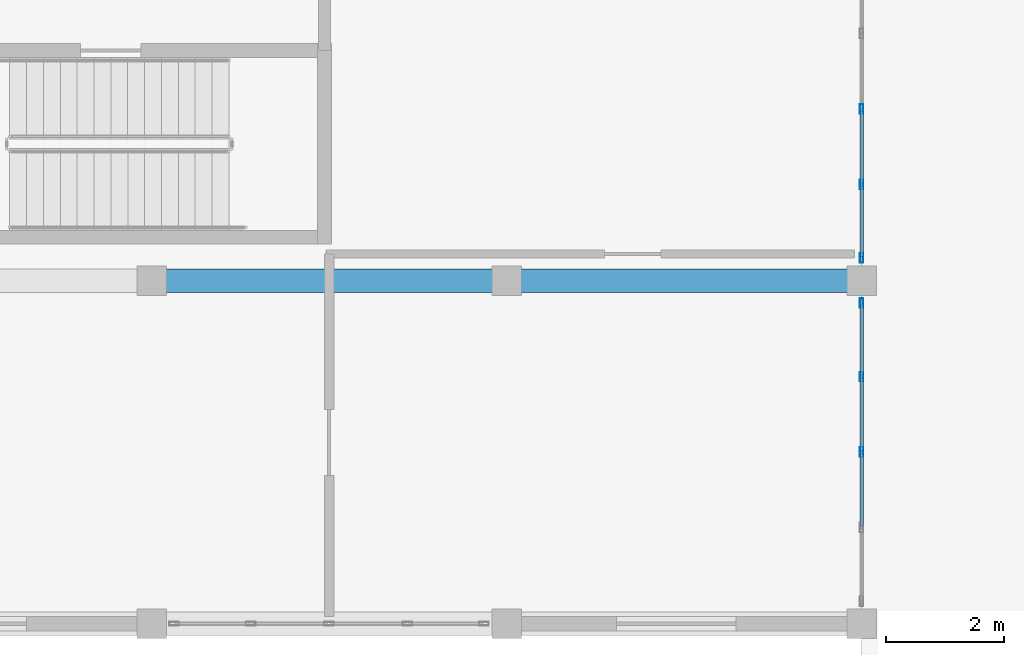
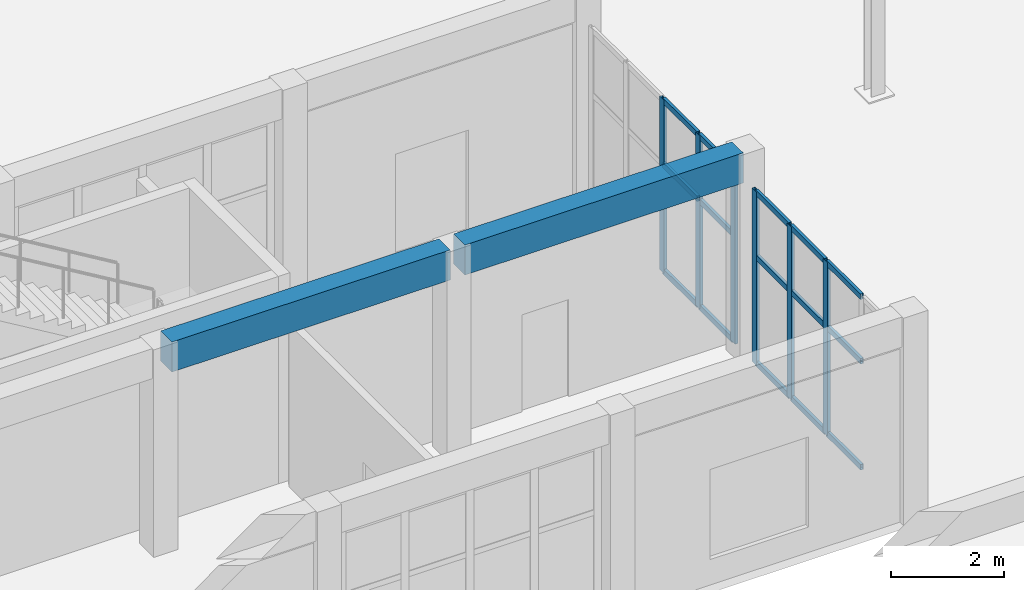
# One storey, part 18 of 132: 21 members, 2 beams, 2 elements without a shape of their own.
"""IFC4 building model written with IfcOpenShell, lengths in metres."""

from ifc_helpers import new_model, si_unit, direction, frame, origin, origin_2d, place, context, subcontext, project, spatial, rectangle, hollow_rectangle, extrude, material, material_profile, profile_set, type_object, element, aggregate, save


model = new_model("IFC4")

# Units and contexts
model_context = context("Model", 3, precision=1e-05, world=origin(), true_north=direction((0.0, 1.0)))
body_context = subcontext(model_context, "Body", "Model", "MODEL_VIEW")
ifc_project = project(units=[si_unit("LENGTHUNIT", "METRE"), si_unit("AREAUNIT", "SQUARE_METRE"), si_unit("VOLUMEUNIT", "CUBIC_METRE"), si_unit("PLANEANGLEUNIT", "RADIAN"), si_unit("MASSUNIT", "GRAM", prefix="KILO")], contexts=[model_context])

# Site, building, storey
site_placement = place(None, origin())
site = spatial("IfcSite", under=ifc_project, at=site_placement, CompositionType="ELEMENT")
building_placement = place(site_placement, origin())
building = spatial("IfcBuilding", under=site, at=building_placement, Name="Tanwirah Colonnade Gardens", CompositionType="ELEMENT")
storey_placement = place(building_placement, origin())
storey = spatial("IfcBuildingStorey", under=building, at=storey_placement, Name="L00", CompositionType="ELEMENT", Elevation=0.0)

# Beams
ifc_material_1 = material(Name="Precast concrete C45/55", Category="concrete")
ifc_material_profile_1 = material_profile(ifc_material_1, rectangle(XDim=0.39990234375, YDim=0.64990234375, at=origin_2d()), Name="PC-BM 400x650")
ifc_profile_set_1 = profile_set([ifc_material_profile_1], Name="Precast concrete C45/55")
beam_type = type_object("IfcBeamType", Name="BM-PC400", PredefinedType="BEAM", material=ifc_profile_set_1)
for number, where, z_axis, x_axis, name in (
    (1, (72.14990234375, 22.39990234375, 4.1650390625), (1.0, 0.0, 0.0), (0.0, 1.0, 0.0), "Boulevard Shops W L00 Beam 1.2"),
    (2, (78.14990234375, 22.39990234375, 4.1650390625), (1.0, 0.0, 0.0), (0.0, 1.0, 0.0), "Boulevard Shops W L00 Beam 2.2"),
):
    element("IfcBeam", number, at=place(storey_placement, frame(where, z_axis=z_axis, x_axis=x_axis)), inside=storey, type_object=beam_type, Name=name, PredefinedType="BEAM", context=body_context, shape_type="SweptSolid", body=[
        extrude(rectangle(XDim=0.39990234375, YDim=0.64990234375, at=origin_2d()), origin(), (0.0, 0.0, 1.0), 5.7001953125),
    ])

# Curtain wall, members
ifc_material_2 = material(Name="Bronze-anodised aluminium and solar-control low-E glass", Category="aluminium")
curtain_wall_type = type_object("IfcCurtainWallType", Name="CW-SHP", PredefinedType="NOTDEFINED", material=ifc_material_2)
curtain_wall_1_placement = place(storey_placement, origin())
curtain_wall_1 = element("IfcCurtainWall", 3, at=curtain_wall_1_placement, inside=storey, type_object=curtain_wall_type, Name="Curtain Wall CW-SHP-W-L00-E-1", PredefinedType="NOTDEFINED")
ifc_material_3 = material(Name="Bronze-anodised aluminium", Category="aluminium")
ifc_material_profile_2 = material_profile(ifc_material_3, hollow_rectangle(XDim=0.06005859375, YDim=0.159912109375, WallThickness=0.00390625, at=origin_2d()), Name="CW-MUL 60x160x4")
ifc_profile_set_2 = profile_set([ifc_material_profile_2], Name="Bronze-anodised aluminium")
member_type_1 = type_object("IfcMemberType", Name="CWM-60x160", PredefinedType="MULLION", material=ifc_profile_set_2)
member_1_placement = place(storey_placement, frame((84.0, 19.5, 0.0), z_axis=(0.0, 0.0, 1.0), x_axis=(-1.0, 0.0, 0.0)))
member_1 = element("IfcMember", 4, at=member_1_placement, type_object=member_type_1, Name="CW-SHP mullion 3", PredefinedType="MULLION", context=body_context, shape_type="SweptSolid", body=[
    extrude(hollow_rectangle(XDim=0.06005859375, YDim=0.159912109375, WallThickness=0.00390625, at=origin_2d()), origin(), (0.0, 0.0, 1.0), 3.75),
])
member_2_placement = place(storey_placement, frame((84.0, 20.77490234375, 0.0), z_axis=(0.0, 0.0, 1.0), x_axis=(-1.0, 0.0, 0.0)))
member_2 = element("IfcMember", 5, at=member_2_placement, type_object=member_type_1, Name="CW-SHP mullion 4", PredefinedType="MULLION", context=body_context, shape_type="SweptSolid", body=[
    extrude(hollow_rectangle(XDim=0.06005859375, YDim=0.159912109375, WallThickness=0.00390625, at=origin_2d()), origin(), (0.0, 0.0, 1.0), 3.75),
])
member_3_placement = place(storey_placement, frame((84.0, 22.02001953125, 0.0), z_axis=(0.0, 0.0, 1.0), x_axis=(-1.0, 0.0, 0.0)))
member_3 = element("IfcMember", 6, at=member_3_placement, type_object=member_type_1, Name="CW-SHP mullion 5", PredefinedType="MULLION", context=body_context, shape_type="SweptSolid", body=[
    extrude(hollow_rectangle(XDim=0.06005859375, YDim=0.159912109375, WallThickness=0.00390625, at=origin_2d()), origin(), (0.0, 0.0, 1.0), 3.75),
])

curtain_wall_2_placement = place(storey_placement, origin())
curtain_wall_2 = element("IfcCurtainWall", 7, at=curtain_wall_2_placement, inside=storey, type_object=curtain_wall_type, Name="Curtain Wall CW-SHP-W-L00-E-2", PredefinedType="NOTDEFINED")
member_4_placement = place(storey_placement, frame((84.0, 22.780029296875, 0.0), z_axis=(0.0, 0.0, 1.0), x_axis=(-1.0, 0.0, 0.0)))
member_4 = element("IfcMember", 8, at=member_4_placement, type_object=member_type_1, Name="CW-SHP mullion 1", PredefinedType="MULLION", context=body_context, shape_type="SweptSolid", body=[
    extrude(hollow_rectangle(XDim=0.06005859375, YDim=0.159912109375, WallThickness=0.00390625, at=origin_2d()), origin(), (0.0, 0.0, 1.0), 3.75),
])
member_5_placement = place(storey_placement, frame((84.0, 24.02490234375, 0.0), z_axis=(0.0, 0.0, 1.0), x_axis=(-1.0, 0.0, 0.0)))
member_5 = element("IfcMember", 9, at=member_5_placement, type_object=member_type_1, Name="CW-SHP mullion 2", PredefinedType="MULLION", context=body_context, shape_type="SweptSolid", body=[
    extrude(hollow_rectangle(XDim=0.06005859375, YDim=0.159912109375, WallThickness=0.00390625, at=origin_2d()), origin(), (0.0, 0.0, 1.0), 3.75),
])
member_6_placement = place(storey_placement, frame((84.0, 25.300048828125, 0.0), z_axis=(0.0, 0.0, 1.0), x_axis=(-1.0, 0.0, 0.0)))
member_6 = element("IfcMember", 10, at=member_6_placement, type_object=member_type_1, Name="CW-SHP mullion 3", PredefinedType="MULLION", context=body_context, shape_type="SweptSolid", body=[
    extrude(hollow_rectangle(XDim=0.06005859375, YDim=0.159912109375, WallThickness=0.00390625, at=origin_2d()), origin(), (0.0, 0.0, 1.0), 3.75),
])

# Member
ifc_material_profile_3 = material_profile(ifc_material_3, hollow_rectangle(XDim=0.06005859375, YDim=0.1201171875, WallThickness=0.00390625, at=origin_2d()), Name="CW-TRN 60x120x4")
ifc_profile_set_3 = profile_set([ifc_material_profile_3], Name="Bronze-anodised aluminium")
member_type_2 = type_object("IfcMemberType", Name="CWT-60x120", PredefinedType="USERDEFINED", material=ifc_profile_set_3)
member_7_placement = place(storey_placement, frame((84.0, 18.2548828125, 0.030029296875), z_axis=(0.0, 1.0, 0.0), x_axis=(-1.0, 0.0, 0.0)))
member_7 = element("IfcMember", 11, at=member_7_placement, type_object=member_type_2, Name="CW-SHP transom 2.1", ObjectType="TRANSOM", PredefinedType="USERDEFINED", context=body_context, shape_type="SweptSolid", body=[
    extrude(hollow_rectangle(XDim=0.06005859375, YDim=0.1201171875, WallThickness=0.00390625, at=origin_2d()), origin(), (0.0, 0.0, 1.0), 1.215087890625),
])

member_8_placement = place(storey_placement, frame((84.0, 18.2548828125, 2.324951171875), z_axis=(0.0, 1.0, 0.0), x_axis=(-1.0, 0.0, 0.0)))
member_8 = element("IfcMember", 12, at=member_8_placement, type_object=member_type_2, Name="CW-SHP transom 2.2", ObjectType="TRANSOM", PredefinedType="USERDEFINED", context=body_context, shape_type="SweptSolid", body=[
    extrude(hollow_rectangle(XDim=0.06005859375, YDim=0.1201171875, WallThickness=0.00390625, at=origin_2d()), origin(), (0.0, 0.0, 1.0), 1.215087890625),
])

member_9_placement = place(storey_placement, frame((84.0, 18.2548828125, 3.719970703125), z_axis=(0.0, 1.0, 0.0), x_axis=(-1.0, 0.0, 0.0)))
member_9 = element("IfcMember", 13, at=member_9_placement, type_object=member_type_2, Name="CW-SHP transom 2.3", ObjectType="TRANSOM", PredefinedType="USERDEFINED", context=body_context, shape_type="SweptSolid", body=[
    extrude(hollow_rectangle(XDim=0.06005859375, YDim=0.1201171875, WallThickness=0.00390625, at=origin_2d()), origin(), (0.0, 0.0, 1.0), 1.215087890625),
])

member_10_placement = place(storey_placement, frame((84.0, 19.530029296875, 0.030029296875), z_axis=(0.0, 1.0, 0.0), x_axis=(-1.0, 0.0, 0.0)))
member_10 = element("IfcMember", 14, at=member_10_placement, type_object=member_type_2, Name="CW-SHP transom 3.1", ObjectType="TRANSOM", PredefinedType="USERDEFINED", context=body_context, shape_type="SweptSolid", body=[
    extrude(hollow_rectangle(XDim=0.06005859375, YDim=0.1201171875, WallThickness=0.00390625, at=origin_2d()), origin(), (0.0, 0.0, 1.0), 1.215087890625),
])

member_11_placement = place(storey_placement, frame((84.0, 19.530029296875, 2.324951171875), z_axis=(0.0, 1.0, 0.0), x_axis=(-1.0, 0.0, 0.0)))
member_11 = element("IfcMember", 15, at=member_11_placement, type_object=member_type_2, Name="CW-SHP transom 3.2", ObjectType="TRANSOM", PredefinedType="USERDEFINED", context=body_context, shape_type="SweptSolid", body=[
    extrude(hollow_rectangle(XDim=0.06005859375, YDim=0.1201171875, WallThickness=0.00390625, at=origin_2d()), origin(), (0.0, 0.0, 1.0), 1.215087890625),
])

member_12_placement = place(storey_placement, frame((84.0, 19.530029296875, 3.719970703125), z_axis=(0.0, 1.0, 0.0), x_axis=(-1.0, 0.0, 0.0)))
member_12 = element("IfcMember", 16, at=member_12_placement, type_object=member_type_2, Name="CW-SHP transom 3.3", ObjectType="TRANSOM", PredefinedType="USERDEFINED", context=body_context, shape_type="SweptSolid", body=[
    extrude(hollow_rectangle(XDim=0.06005859375, YDim=0.1201171875, WallThickness=0.00390625, at=origin_2d()), origin(), (0.0, 0.0, 1.0), 1.215087890625),
])

member_13_placement = place(storey_placement, frame((84.0, 20.804931640625, 0.030029296875), z_axis=(0.0, 1.0, 0.0), x_axis=(-1.0, 0.0, 0.0)))
member_13 = element("IfcMember", 17, at=member_13_placement, type_object=member_type_2, Name="CW-SHP transom 4.1", ObjectType="TRANSOM", PredefinedType="USERDEFINED", context=body_context, shape_type="SweptSolid", body=[
    extrude(hollow_rectangle(XDim=0.06005859375, YDim=0.1201171875, WallThickness=0.00390625, at=origin_2d()), origin(), (0.0, 0.0, 1.0), 1.18505859375),
])

member_14_placement = place(storey_placement, frame((84.0, 20.804931640625, 2.324951171875), z_axis=(0.0, 1.0, 0.0), x_axis=(-1.0, 0.0, 0.0)))
member_14 = element("IfcMember", 18, at=member_14_placement, type_object=member_type_2, Name="CW-SHP transom 4.2", ObjectType="TRANSOM", PredefinedType="USERDEFINED", context=body_context, shape_type="SweptSolid", body=[
    extrude(hollow_rectangle(XDim=0.06005859375, YDim=0.1201171875, WallThickness=0.00390625, at=origin_2d()), origin(), (0.0, 0.0, 1.0), 1.18505859375),
])

member_15_placement = place(storey_placement, frame((84.0, 20.804931640625, 3.719970703125), z_axis=(0.0, 1.0, 0.0), x_axis=(-1.0, 0.0, 0.0)))
member_15 = element("IfcMember", 19, at=member_15_placement, type_object=member_type_2, Name="CW-SHP transom 4.3", ObjectType="TRANSOM", PredefinedType="USERDEFINED", context=body_context, shape_type="SweptSolid", body=[
    extrude(hollow_rectangle(XDim=0.06005859375, YDim=0.1201171875, WallThickness=0.00390625, at=origin_2d()), origin(), (0.0, 0.0, 1.0), 1.18505859375),
])

aggregate(curtain_wall_1, [member_1, member_2, member_3, member_7, member_8, member_9, member_10, member_11, member_12, member_13, member_14, member_15])

member_16_placement = place(storey_placement, frame((84.0, 22.81005859375, 0.030029296875), z_axis=(0.0, 1.0, 0.0), x_axis=(-1.0, 0.0, 0.0)))
member_16 = element("IfcMember", 20, at=member_16_placement, type_object=member_type_2, Name="CW-SHP transom 1.1", ObjectType="TRANSOM", PredefinedType="USERDEFINED", context=body_context, shape_type="SweptSolid", body=[
    extrude(hollow_rectangle(XDim=0.06005859375, YDim=0.1201171875, WallThickness=0.00390625, at=origin_2d()), origin(), (0.0, 0.0, 1.0), 1.18505859375),
])

member_17_placement = place(storey_placement, frame((84.0, 22.81005859375, 2.324951171875), z_axis=(0.0, 1.0, 0.0), x_axis=(-1.0, 0.0, 0.0)))
member_17 = element("IfcMember", 21, at=member_17_placement, type_object=member_type_2, Name="CW-SHP transom 1.2", ObjectType="TRANSOM", PredefinedType="USERDEFINED", context=body_context, shape_type="SweptSolid", body=[
    extrude(hollow_rectangle(XDim=0.06005859375, YDim=0.1201171875, WallThickness=0.00390625, at=origin_2d()), origin(), (0.0, 0.0, 1.0), 1.18505859375),
])

member_18_placement = place(storey_placement, frame((84.0, 22.81005859375, 3.719970703125), z_axis=(0.0, 1.0, 0.0), x_axis=(-1.0, 0.0, 0.0)))
member_18 = element("IfcMember", 22, at=member_18_placement, type_object=member_type_2, Name="CW-SHP transom 1.3", ObjectType="TRANSOM", PredefinedType="USERDEFINED", context=body_context, shape_type="SweptSolid", body=[
    extrude(hollow_rectangle(XDim=0.06005859375, YDim=0.1201171875, WallThickness=0.00390625, at=origin_2d()), origin(), (0.0, 0.0, 1.0), 1.18505859375),
])

member_19_placement = place(storey_placement, frame((84.0, 24.054931640625, 0.030029296875), z_axis=(0.0, 1.0, 0.0), x_axis=(-1.0, 0.0, 0.0)))
member_19 = element("IfcMember", 23, at=member_19_placement, type_object=member_type_2, Name="CW-SHP transom 2.1", ObjectType="TRANSOM", PredefinedType="USERDEFINED", context=body_context, shape_type="SweptSolid", body=[
    extrude(hollow_rectangle(XDim=0.06005859375, YDim=0.1201171875, WallThickness=0.00390625, at=origin_2d()), origin(), (0.0, 0.0, 1.0), 1.215087890625),
])

member_20_placement = place(storey_placement, frame((84.0, 24.054931640625, 2.324951171875), z_axis=(0.0, 1.0, 0.0), x_axis=(-1.0, 0.0, 0.0)))
member_20 = element("IfcMember", 24, at=member_20_placement, type_object=member_type_2, Name="CW-SHP transom 2.2", ObjectType="TRANSOM", PredefinedType="USERDEFINED", context=body_context, shape_type="SweptSolid", body=[
    extrude(hollow_rectangle(XDim=0.06005859375, YDim=0.1201171875, WallThickness=0.00390625, at=origin_2d()), origin(), (0.0, 0.0, 1.0), 1.215087890625),
])

member_21_placement = place(storey_placement, frame((84.0, 24.054931640625, 3.719970703125), z_axis=(0.0, 1.0, 0.0), x_axis=(-1.0, 0.0, 0.0)))
member_21 = element("IfcMember", 25, at=member_21_placement, type_object=member_type_2, Name="CW-SHP transom 2.3", ObjectType="TRANSOM", PredefinedType="USERDEFINED", context=body_context, shape_type="SweptSolid", body=[
    extrude(hollow_rectangle(XDim=0.06005859375, YDim=0.1201171875, WallThickness=0.00390625, at=origin_2d()), origin(), (0.0, 0.0, 1.0), 1.215087890625),
])

aggregate(curtain_wall_2, [member_4, member_5, member_6, member_16, member_17, member_18, member_19, member_20, member_21])

save(model, "model.ifc")
